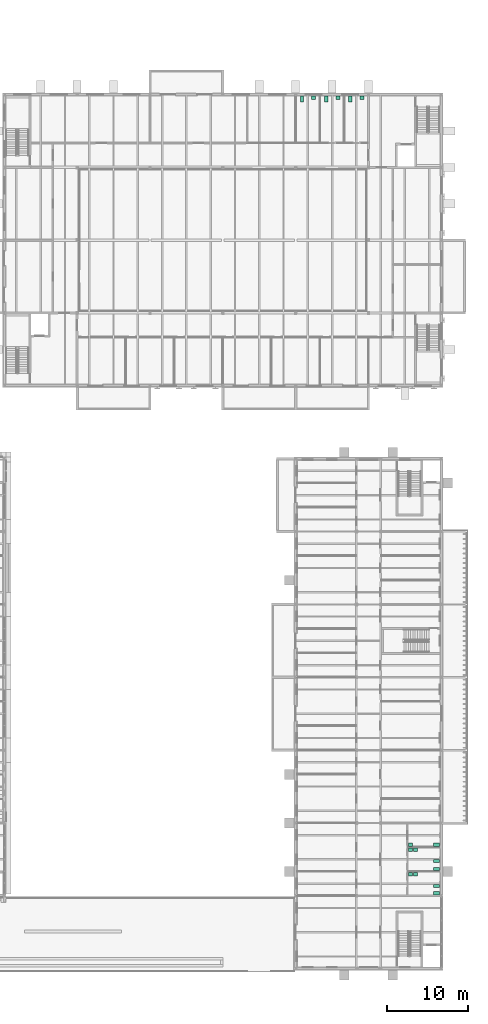
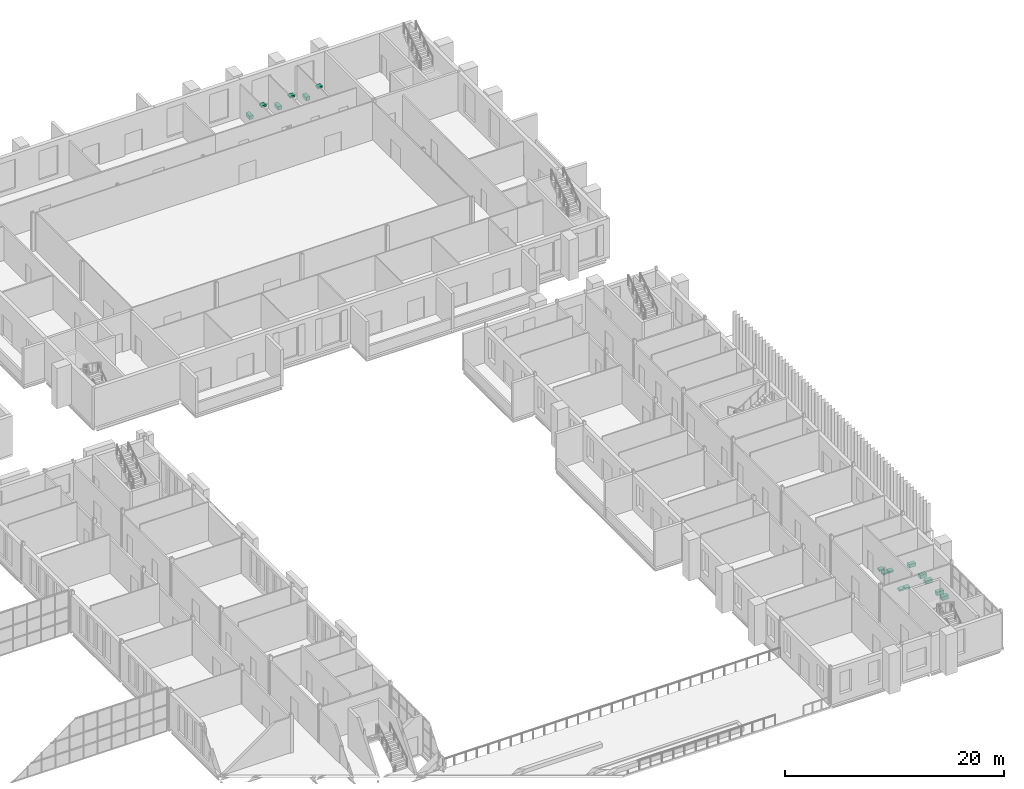
# One storey, part 134 of 134: 16 sanitary terminals.
"""IFC4 building model written with IfcOpenShell, lengths in metres."""

import ifcopenshell
import ifcopenshell.guid

model = None  # the IFC model being written
_history = None  # IfcOwnerHistory: only IFC2X3 demands one
_inside = {}  # id of a spatial element -> (the spatial element, [elements in it])
_under = {}  # id of a project, library or spatial element -> (it, [spatial elements below it])
_declared = {}  # id of a project -> (the project, [libraries it declares])
_typed = {}  # id of a type object -> (the type object, [elements of that type])
_made_of = {}  # id of a material, layer set ... -> (it, [elements and type objects made of it])


def new_model(schema):
    """Start an empty IFC model of exactly this schema.

    Asked for "IFC4X3", IfcOpenShell would pick the latest addendum, in which some entities
    have other attributes; the version numbers below select the first issue.
    IFC2X3 requires an IfcOwnerHistory on every rooted entity: one is made here for all.
    """
    global model, _history
    if schema == "IFC4X3":
        model = ifcopenshell.file(schema_version=(4, 3, 0, 0))
    else:
        model = ifcopenshell.file(schema=schema)
    _inside.clear()
    _under.clear()
    _declared.clear()
    _typed.clear()
    _made_of.clear()
    _history = None
    if model.schema == "IFC2X3":
        org = make("IfcOrganization", Name="unknown")
        user = make(
            "IfcPersonAndOrganization",
            ThePerson=make("IfcPerson", FamilyName="unknown"),
            TheOrganization=org,
        )
        app = make(
            "IfcApplication",
            ApplicationDeveloper=org,
            Version="unknown",
            ApplicationFullName="unknown",
            ApplicationIdentifier="unknown",
        )
        _history = make(
            "IfcOwnerHistory",
            OwningUser=user,
            OwningApplication=app,
            ChangeAction="ADDED",
            CreationDate=0,
        )
    return model


def make(cls, **values):
    """One entity of the class cls with the attributes given. An attribute that is None is left unset."""
    return model.create_entity(
        cls, **{name: value for name, value in values.items() if value is not None}
    )


def rooted(cls, **values):
    """An entity with a GlobalId (a new one), such as an element, a storey or a relation."""
    return make(cls, GlobalId=ifcopenshell.guid.new(), OwnerHistory=_history, **values)


def si_unit(unit_type, name, prefix=None):
    """IfcSIUnit, for example si_unit("LENGTHUNIT", "METRE", prefix="MILLI")."""
    return make("IfcSIUnit", UnitType=unit_type, Prefix=prefix, Name=name)


def assignment(units):
    """IfcUnitAssignment: the units of a project."""
    return None if units is None else make("IfcUnitAssignment", Units=units)


def point(xyz):
    """IfcCartesianPoint."""
    return None if xyz is None else make("IfcCartesianPoint", Coordinates=xyz)


def direction(xyz):
    """IfcDirection."""
    return None if xyz is None else make("IfcDirection", DirectionRatios=xyz)


def frame(location, z_axis=None, x_axis=None):
    """IfcAxis2Placement3D, a coordinate frame: its origin and axes. An axis left out is left unset."""
    return make(
        "IfcAxis2Placement3D",
        Location=point(location),
        Axis=direction(z_axis),
        RefDirection=direction(x_axis),
    )


def frame_2d(location, x_axis=None):
    """IfcAxis2Placement2D, a coordinate frame in the plane: its origin and x axis."""
    return make(
        "IfcAxis2Placement2D", Location=point(location), RefDirection=direction(x_axis)
    )


def origin():
    """The frame at (0, 0, 0) with its axes left unset."""
    return frame((0.0, 0.0, 0.0))


def origin_2d():
    """The frame at (0, 0) in the plane with its x axis left unset."""
    return frame_2d((0.0, 0.0))


def place(relative_to, where):
    """IfcLocalPlacement: puts the frame where relative to a parent placement (None: the world)."""
    return make(
        "IfcLocalPlacement", PlacementRelTo=relative_to, RelativePlacement=where
    )


def context(
    kind, dimensions, precision=None, world=None, true_north=None, identifier=None
):
    """IfcGeometricRepresentationContext, for example the 3D "Model" context."""
    return make(
        "IfcGeometricRepresentationContext",
        ContextIdentifier=identifier,
        ContextType=kind,
        CoordinateSpaceDimension=dimensions,
        Precision=precision,
        WorldCoordinateSystem=world,
        TrueNorth=true_north,
    )


def subcontext(parent, identifier, kind, view, scale=None):
    """IfcGeometricRepresentationSubContext, for example "Body" below "Model"."""
    return make(
        "IfcGeometricRepresentationSubContext",
        ContextIdentifier=identifier,
        ContextType=kind,
        ParentContext=parent,
        TargetScale=scale,
        TargetView=view,
    )


def project(units=None, contexts=None):
    """IfcProject with its units and contexts."""
    return rooted(
        "IfcProject",
        Name="project",
        RepresentationContexts=contexts,
        UnitsInContext=assignment(units),
    )


def spatial(cls, under=None, at=None, **own):
    """A site, building, storey or space (cls), placed at a placement, below another one or the project."""
    s = rooted(cls, ObjectPlacement=at, **own)
    if under is not None:
        _under.setdefault(under.id(), (under, []))[1].append(s)
    return s


def profile(cls, at=None, kind="AREA", **sizes):
    """A parametric profile (cls). Its sizes go by their IFC names, for example OverallWidth=200.0."""
    return make(cls, ProfileType=kind, Position=at, **sizes)


def rectangle(**sizes):
    """IfcRectangleProfileDef."""
    return profile("IfcRectangleProfileDef", **sizes)


def extrude(swept, where, along, depth):
    """IfcExtrudedAreaSolid: the profile swept, set in the frame where, extruded along a direction by depth."""
    return make(
        "IfcExtrudedAreaSolid",
        SweptArea=swept,
        Position=where,
        ExtrudedDirection=direction(along),
        Depth=depth,
    )


def shape(context_of_items, identifier, shape_type, items):
    """IfcShapeRepresentation: the items that make up one representation, for example the "Body"."""
    return make(
        "IfcShapeRepresentation",
        ContextOfItems=context_of_items,
        RepresentationIdentifier=identifier,
        RepresentationType=shape_type,
        Items=items,
    )


def material(Name=None, Category=None):
    """IfcMaterial."""
    return make("IfcMaterial", Name=Name, Category=Category)


def made_of(thing, what):
    """Note that an element or type object is made of a material, layer set ...; save() writes the relation."""
    if what is not None:
        _made_of.setdefault(what.id(), (what, []))[1].append(thing)
    return thing


def type_object(cls, material=None, **own):
    """A type object (cls), such as IfcWallType, which elements share."""
    return made_of(rooted(cls, **own), material)


def element(
    cls,
    number,
    at=None,
    inside=None,
    cuts=None,
    type_object=None,
    material=None,
    context=None,
    identifier="Body",
    shape_type=None,
    held_by="IfcProductDefinitionShape",
    body=None,
    shapes=None,
    **own,
):
    """One element of the class cls, such as IfcWall. Its Tag is "e" and its number.

    at: its placement. inside: the storey or other place that contains it. cuts: it is an
    opening in that element (IfcRelVoidsElement). A single representation is given by context,
    identifier, shape_type and body (its items); several are given by shapes. held_by: the class
    of the entity that holds the representations. save() writes the other relations.
    """
    e = rooted(cls, Tag="e%d" % number, ObjectPlacement=at, **own)
    if body is not None:
        shapes = [shape(context, identifier, shape_type, body)]
    if shapes is not None:
        e.Representation = make(held_by, Representations=shapes)
    if inside is not None:
        _inside.setdefault(inside.id(), (inside, []))[1].append(e)
    if cuts is not None:
        rooted(
            "IfcRelVoidsElement", RelatingBuildingElement=cuts, RelatedOpeningElement=e
        )
    if type_object is not None:
        _typed.setdefault(type_object.id(), (type_object, []))[1].append(e)
    return made_of(e, material)


def aggregate(whole, parts):
    """IfcRelAggregates: a whole, such as a stair, and the parts it consists of."""
    return rooted("IfcRelAggregates", RelatingObject=whole, RelatedObjects=parts)


def save(model, path):
    """Write the relations noted so far, then the file.

    IfcRelAggregates (storeys below a building ...), IfcRelContainedInSpatialStructure (elements
    in a storey), IfcRelDefinesByType, IfcRelAssociatesMaterial and IfcRelDeclares: one each for
    every whole, place, type object, material and project.
    """
    for whole, parts in _under.values():
        aggregate(whole, parts)
    for where, things in _inside.values():
        rooted(
            "IfcRelContainedInSpatialStructure",
            RelatedElements=things,
            RelatingStructure=where,
        )
    for kind, things in _typed.values():
        rooted("IfcRelDefinesByType", RelatedObjects=things, RelatingType=kind)
    for what, things in _made_of.values():
        rooted("IfcRelAssociatesMaterial", RelatedObjects=things, RelatingMaterial=what)
    for by, libraries in _declared.values():
        rooted("IfcRelDeclares", RelatingContext=by, RelatedDefinitions=libraries)
    model.write(path)


model = new_model("IFC4")

# Units and contexts
model_context = context("Model", 3, precision=1e-05, world=origin(), true_north=direction((0.0, 1.0)))
body_context = subcontext(model_context, "Body", "Model", "MODEL_VIEW")
ifc_project = project(units=[si_unit("LENGTHUNIT", "METRE"), si_unit("AREAUNIT", "SQUARE_METRE"), si_unit("VOLUMEUNIT", "CUBIC_METRE"), si_unit("PLANEANGLEUNIT", "RADIAN"), si_unit("MASSUNIT", "GRAM", prefix="KILO")], contexts=[model_context])

# Site, building, storey
site_placement = place(None, origin())
site = spatial("IfcSite", under=ifc_project, at=site_placement, CompositionType="ELEMENT")
building_placement = place(site_placement, origin())
building = spatial("IfcBuilding", under=site, at=building_placement, Name="Golden Quay Civic Hall", CompositionType="ELEMENT")
storey_placement = place(building_placement, frame((0.0, 0.0, 5.39990234375)))
storey = spatial("IfcBuildingStorey", under=building, at=storey_placement, Name="L01", CompositionType="ELEMENT", Elevation=5.39990234375)

# Sanitary terminals
ifc_material_1 = material(Name="Ceramic")
sanitary_terminal_type_1 = type_object("IfcSanitaryTerminalType", Name="Toilet pan", PredefinedType="TOILETPAN", material=ifc_material_1)
for number, where, z_axis, x_axis, name in (
    (1, (170.39990234375, 0.324951171875, 0.000244140625), (0.0, 0.0, 1.0), (0.0, 1.0, 0.0), "Toilet pan"),
    (2, (170.39990234375, 1.22509765625, 0.000244140625), (0.0, 0.0, 1.0), (0.0, 1.0, 0.0), "Toilet pan"),
    (3, (170.39990234375, 3.300048828125, 0.000244140625), (0.0, 0.0, 1.0), (0.0, 1.0, 0.0), "Toilet pan"),
    (4, (170.39990234375, 4.300048828125, 0.000244140625), (0.0, 0.0, 1.0), (0.0, 1.0, 0.0), "Toilet pan"),
    (5, (170.39990234375, 6.300048828125, 0.000244140625), (0.0, 0.0, 1.0), (0.0, 1.0, 0.0), "Toilet pan"),
):
    element("IfcSanitaryTerminal", number, at=place(storey_placement, frame(where, z_axis=z_axis, x_axis=x_axis)), inside=storey, type_object=sanitary_terminal_type_1, Name=name, PredefinedType="TOILETPAN", context=body_context, shape_type="SweptSolid", body=[
        extrude(rectangle(XDim=0.39990234375, YDim=0.699951171875, at=origin_2d()), origin(), (0.0, 0.0, 1.0), 0.39990234375),
    ])
ifc_material_2 = material(Name="Vitreous china")
sanitary_terminal_type_2 = type_object("IfcSanitaryTerminalType", Name="Wall-hung WC pan", PredefinedType="TOILETPAN", material=ifc_material_2)
for number, where, z_axis, x_axis, name in (
    (6, (153.77490234375, 98.449951171875, 0.000244140625), (0.0, 0.0, 1.0), (1.0, 0.0, 0.0), "WC pan"),
    (7, (156.77490234375, 98.449951171875, 0.000244140625), (0.0, 0.0, 1.0), (1.0, 0.0, 0.0), "WC pan"),
    (8, (159.756103515625, 98.449951171875, 0.000244140625), (0.0, 0.0, 1.0), (1.0, 0.0, 0.0), "WC pan"),
):
    element("IfcSanitaryTerminal", number, at=place(storey_placement, frame(where, z_axis=z_axis, x_axis=x_axis)), inside=storey, type_object=sanitary_terminal_type_2, Name=name, PredefinedType="TOILETPAN", context=body_context, shape_type="SweptSolid", body=[
        extrude(rectangle(XDim=0.39990234375, YDim=0.699951171875, at=origin_2d()), origin(), (0.0, 0.0, 1.0), 0.39990234375),
    ])
ifc_material_3 = material(Name="Ceramic")
sanitary_terminal_type_3 = type_object("IfcSanitaryTerminalType", Name="Wash basin", PredefinedType="WASHHANDBASIN", material=ifc_material_3)
for number, where, z_axis, x_axis, name in (
    (9, (167.175048828125, 2.675048828125, 0.7001953125), (0.0, 0.0, 1.0), (1.0, 0.0, 0.0), "Wash basin"),
    (10, (167.77490234375, 2.675048828125, 0.7001953125), (0.0, 0.0, 1.0), (1.0, 0.0, 0.0), "Wash basin"),
    (11, (167.175048828125, 5.675048828125, 0.7001953125), (0.0, 0.0, 1.0), (1.0, 0.0, 0.0), "Wash basin"),
    (12, (167.77490234375, 5.675048828125, 0.7001953125), (0.0, 0.0, 1.0), (1.0, 0.0, 0.0), "Wash basin"),
    (13, (167.175048828125, 6.324951171875, 0.7001953125), (0.0, 0.0, 1.0), (1.0, 0.0, 0.0), "Wash basin"),
):
    element("IfcSanitaryTerminal", number, at=place(storey_placement, frame(where, z_axis=z_axis, x_axis=x_axis)), inside=storey, type_object=sanitary_terminal_type_3, Name=name, PredefinedType="WASHHANDBASIN", context=body_context, shape_type="SweptSolid", body=[
        extrude(rectangle(XDim=0.5, YDim=0.449951171875, at=origin_2d()), origin(), (0.0, 0.0, 1.0), 0.199951171875),
    ])
ifc_material_4 = material(Name="Vitreous china")
sanitary_terminal_type_4 = type_object("IfcSanitaryTerminalType", Name="Washbasin 500", PredefinedType="WASHHANDBASIN", material=ifc_material_4)
for number, where, z_axis, x_axis, name in (
    (14, (155.22509765625, 98.574951171875, 0.7001953125), (0.0, 0.0, 1.0), (1.0, 0.0, 0.0), "Washbasin"),
    (15, (158.22509765625, 98.574951171875, 0.7001953125), (0.0, 0.0, 1.0), (1.0, 0.0, 0.0), "Washbasin"),
    (16, (161.1689453125, 98.574951171875, 0.7001953125), (0.0, 0.0, 1.0), (1.0, 0.0, 0.0), "Washbasin"),
):
    element("IfcSanitaryTerminal", number, at=place(storey_placement, frame(where, z_axis=z_axis, x_axis=x_axis)), inside=storey, type_object=sanitary_terminal_type_4, Name=name, PredefinedType="WASHHANDBASIN", context=body_context, shape_type="SweptSolid", body=[
        extrude(rectangle(XDim=0.5, YDim=0.449951171875, at=origin_2d()), origin(), (0.0, 0.0, 1.0), 0.199951171875),
    ])

save(model, "model.ifc")
